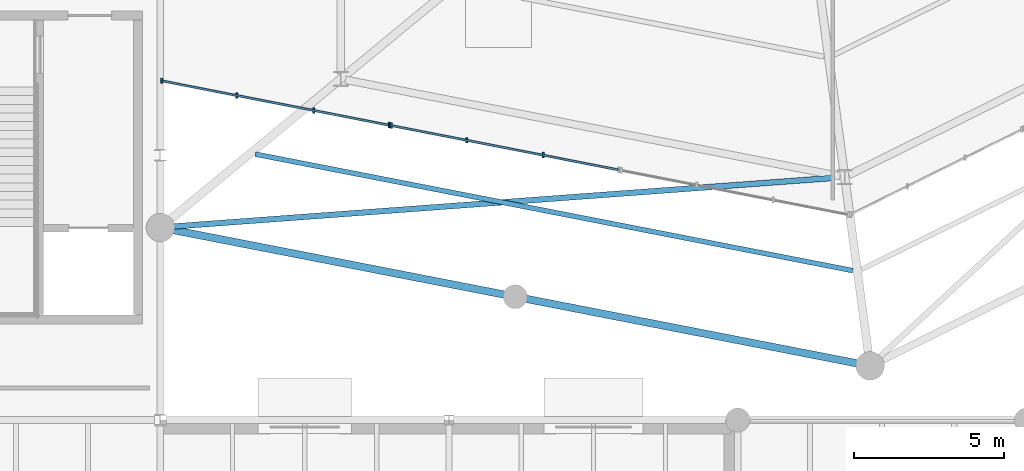
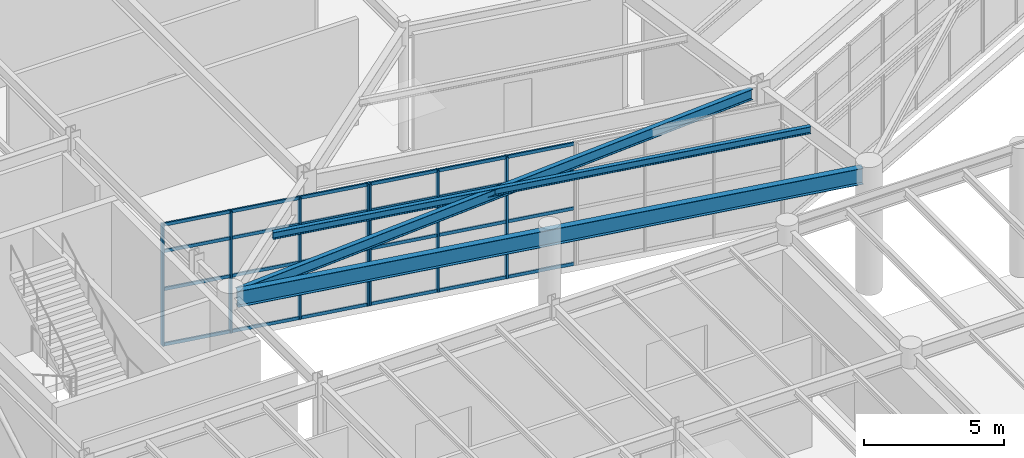
# One storey, part 22 of 70: 15 members, 3 beams, 2 elements without a shape of their own.
"""IFC4 building model written with IfcOpenShell, lengths in metres."""

from ifc_helpers import new_model, si_unit, direction, frame, origin, origin_2d, place, context, subcontext, project, spatial, rectangle, i_section, extrude, material, material_profile, profile_set, type_object, element, aggregate, save


model = new_model("IFC4")

# Units and contexts
model_context = context("Model", 3, precision=1e-05, world=origin(), true_north=direction((0.0, 1.0)))
body_context = subcontext(model_context, "Body", "Model", "MODEL_VIEW")
ifc_project = project(units=[si_unit("LENGTHUNIT", "METRE"), si_unit("AREAUNIT", "SQUARE_METRE"), si_unit("VOLUMEUNIT", "CUBIC_METRE"), si_unit("PLANEANGLEUNIT", "RADIAN"), si_unit("MASSUNIT", "GRAM", prefix="KILO")], contexts=[model_context])

# Site, building, storey
site_placement = place(None, origin())
site = spatial("IfcSite", under=ifc_project, at=site_placement, CompositionType="ELEMENT")
building_placement = place(site_placement, origin())
building = spatial("IfcBuilding", under=site, at=building_placement, Name="Sarnbrook Museum", CompositionType="ELEMENT")
storey_placement = place(building_placement, origin())
storey = spatial("IfcBuildingStorey", under=building, at=storey_placement, Name="L00", CompositionType="ELEMENT", Elevation=0.0)

# Beams
ifc_material_1 = material(Name="Structural Steel Grade 300PLUS (AS/NZS 3679.1, fy = 280 MPa for 17 < t <= 40 mm, 300 MPa for t <= 17 mm)", Category="steel")
ifc_material_profile_1 = material_profile(ifc_material_1, i_section(OverallWidth=0.18994140625, OverallDepth=0.45703125, WebThickness=0.009033203125, FlangeThickness=0.014404296875, FilletRadius=0.011474609375, at=origin_2d()), Name="460UB74.6")
ifc_profile_set_1 = profile_set([ifc_material_profile_1], Name="Structural Steel Grade 300PLUS (AS/NZS 3679.1, fy = 280 MPa for 17 < t <= 40 mm, 300 MPa for t <= 17 mm)")
beam_type_1 = type_object("IfcBeamType", Name="BM-UB460", PredefinedType="BEAM", material=ifc_profile_set_1)
beam_1_placement = place(storey_placement, frame((119.484619140625, 63.224853515625, 5.10009765625), z_axis=(0.997306617678, 0.07334514527, 0.0), x_axis=(-0.07334514527, 0.997306617678, 0.0)))
element("IfcBeam", 1, at=beam_1_placement, inside=storey, type_object=beam_type_1, Name="Colonnade Ceiling Diagonal Tie Girder 1 L00", PredefinedType="BEAM", context=body_context, shape_type="SweptSolid", body=[
    extrude(i_section(OverallWidth=0.18994140625, OverallDepth=0.45703125, WebThickness=0.009033203125, FlangeThickness=0.014404296875, FilletRadius=0.011474609375, at=origin_2d()), origin(), (0.0, 0.0, 1.0), 22.152099609375),
])
ifc_material_2 = material(Name="Structural Steel Grade 350L0 (AS/NZS 3678, fy = 340 MPa for 20 < t <= 40 mm)", Category="steel")
ifc_material_profile_2 = material_profile(ifc_material_2, i_section(OverallWidth=0.25, OverallDepth=0.699951171875, WebThickness=0.010009765625, FlangeThickness=0.01611328125, at=origin_2d()), Name="700WB130")
ifc_profile_set_2 = profile_set([ifc_material_profile_2], Name="Structural Steel Grade 350L0 (AS/NZS 3678, fy = 340 MPa for 20 < t <= 40 mm)")
beam_type_2 = type_object("IfcBeamType", Name="BM-WB700", PredefinedType="BEAM", material=ifc_profile_set_2)
beam_2_placement = place(storey_placement, frame((119.4453125, 63.152099609375, 4.989990234375), z_axis=(0.981528508829, -0.191315933358, 0.0), x_axis=(0.191315933358, 0.981528508829, 0.0)))
element("IfcBeam", 2, at=beam_2_placement, inside=storey, type_object=beam_type_2, Name="Crystal Hall Perimeter Ring Girder 1 L00", PredefinedType="BEAM", context=body_context, shape_type="SweptSolid", body=[
    extrude(i_section(OverallWidth=0.25, OverallDepth=0.699951171875, WebThickness=0.010009765625, FlangeThickness=0.01611328125, at=origin_2d()), origin(), (0.0, 0.0, 1.0), 23.544189453125),
])

# Curtain wall, members
ifc_material_3 = material(Name="Thermally Broken Anodised Aluminium 6063-T6", Category="aluminium")
curtain_wall_type = type_object("IfcCurtainWallType", Name="CurtainWall_Colonnade", PredefinedType="NOTDEFINED", material=ifc_material_3)
curtain_wall_1_placement = place(storey_placement, origin())
curtain_wall_1 = element("IfcCurtainWall", 3, at=curtain_wall_1_placement, inside=storey, type_object=curtain_wall_type, Name="Colonnade Recessed Glazing L00-F1.1", PredefinedType="NOTDEFINED")
ifc_material_profile_3 = material_profile(ifc_material_3, rectangle(XDim=0.06494140625, YDim=0.179931640625, at=origin_2d()), Name="ALU MULLION 65x180")
ifc_profile_set_3 = profile_set([ifc_material_profile_3], Name="Thermally Broken Anodised Aluminium 6063-T6")
member_type_1 = type_object("IfcMemberType", Name="CW_Mullion_180x75", PredefinedType="MULLION", material=ifc_profile_set_3)
member_1_placement = place(storey_placement, frame((119.2392578125, 68.08251953125, 0.0), z_axis=(0.0, 0.0, 1.0), x_axis=(1.0, 0.0, 0.0)))
member_1 = element("IfcMember", 4, at=member_1_placement, type_object=member_type_1, Name="Colonnade Recessed Glazing L00-F1.1 Mullion 1", PredefinedType="MULLION", context=body_context, shape_type="SweptSolid", body=[
    extrude(rectangle(XDim=0.06494140625, YDim=0.179931640625, at=origin_2d()), origin(), (0.0, 0.0, 1.0), 5.2900390625),
])
member_2_placement = place(storey_placement, frame((121.747314453125, 67.59375, 0.0), z_axis=(0.0, 0.0, 1.0), x_axis=(1.0, 0.0, 0.0)))
member_2 = element("IfcMember", 5, at=member_2_placement, type_object=member_type_1, Name="Colonnade Recessed Glazing L00-F1.1 Mullion 2", PredefinedType="MULLION", context=body_context, shape_type="SweptSolid", body=[
    extrude(rectangle(XDim=0.06494140625, YDim=0.179931640625, at=origin_2d()), origin(), (0.0, 0.0, 1.0), 5.2900390625),
])
member_3_placement = place(storey_placement, frame((124.29443359375, 67.097412109375, 0.0), z_axis=(0.0, 0.0, 1.0), x_axis=(1.0, 0.0, 0.0)))
member_3 = element("IfcMember", 6, at=member_3_placement, type_object=member_type_1, Name="Colonnade Recessed Glazing L00-F1.1 Mullion 3", PredefinedType="MULLION", context=body_context, shape_type="SweptSolid", body=[
    extrude(rectangle(XDim=0.06494140625, YDim=0.179931640625, at=origin_2d()), origin(), (0.0, 0.0, 1.0), 5.2900390625),
])
member_4_placement = place(storey_placement, frame((126.802490234375, 66.6083984375, 0.0), z_axis=(0.0, 0.0, 1.0), x_axis=(1.0, 0.0, 0.0)))
member_4 = element("IfcMember", 7, at=member_4_placement, type_object=member_type_1, Name="Colonnade Recessed Glazing L00-F1.1 Mullion 4", PredefinedType="MULLION", context=body_context, shape_type="SweptSolid", body=[
    extrude(rectangle(XDim=0.06494140625, YDim=0.179931640625, at=origin_2d()), origin(), (0.0, 0.0, 1.0), 5.2900390625),
])

curtain_wall_2_placement = place(storey_placement, origin())
curtain_wall_2 = element("IfcCurtainWall", 8, at=curtain_wall_2_placement, inside=storey, type_object=curtain_wall_type, Name="Colonnade Recessed Glazing L00-F1.2", PredefinedType="NOTDEFINED")
member_5_placement = place(storey_placement, frame((126.880859375, 66.59326171875, 0.0), z_axis=(0.0, 0.0, 1.0), x_axis=(1.0, 0.0, 0.0)))
member_5 = element("IfcMember", 9, at=member_5_placement, type_object=member_type_1, Name="Colonnade Recessed Glazing L00-F1.2 Mullion 1", PredefinedType="MULLION", context=body_context, shape_type="SweptSolid", body=[
    extrude(rectangle(XDim=0.06494140625, YDim=0.179931640625, at=origin_2d()), origin(), (0.0, 0.0, 1.0), 5.2900390625),
])
member_6_placement = place(storey_placement, frame((129.388916015625, 66.104248046875, 0.0), z_axis=(0.0, 0.0, 1.0), x_axis=(1.0, 0.0, 0.0)))
member_6 = element("IfcMember", 10, at=member_6_placement, type_object=member_type_1, Name="Colonnade Recessed Glazing L00-F1.2 Mullion 2", PredefinedType="MULLION", context=body_context, shape_type="SweptSolid", body=[
    extrude(rectangle(XDim=0.06494140625, YDim=0.179931640625, at=origin_2d()), origin(), (0.0, 0.0, 1.0), 5.2900390625),
])
member_7_placement = place(storey_placement, frame((131.93603515625, 65.60791015625, 0.0), z_axis=(0.0, 0.0, 1.0), x_axis=(1.0, 0.0, 0.0)))
member_7 = element("IfcMember", 11, at=member_7_placement, type_object=member_type_1, Name="Colonnade Recessed Glazing L00-F1.2 Mullion 3", PredefinedType="MULLION", context=body_context, shape_type="SweptSolid", body=[
    extrude(rectangle(XDim=0.06494140625, YDim=0.179931640625, at=origin_2d()), origin(), (0.0, 0.0, 1.0), 5.2900390625),
])

# Member
ifc_material_profile_4 = material_profile(ifc_material_3, rectangle(XDim=0.06494140625, YDim=0.139892578125, at=origin_2d()), Name="ALU TRANSOM 65x140")
ifc_profile_set_4 = profile_set([ifc_material_profile_4], Name="Thermally Broken Anodised Aluminium 6063-T6")
member_type_2 = type_object("IfcMemberType", Name="CW_Transom_150x65", PredefinedType="USERDEFINED", material=ifc_profile_set_4)
member_8_placement = place(storey_placement, frame((119.2490234375, 68.080810546875, 0.0400390625), z_axis=(0.981525673585, -0.191330478737, 0.0), x_axis=(0.191330478737, 0.981525673585, 0.0)))
member_8 = element("IfcMember", 12, at=member_8_placement, type_object=member_type_2, Name="Colonnade Recessed Glazing L00-F1.1 Transom 1", ObjectType="TRANSOM", PredefinedType="USERDEFINED", context=body_context, shape_type="SweptSolid", body=[
    extrude(rectangle(XDim=0.06494140625, YDim=0.139892578125, at=origin_2d()), origin(), (0.0, 0.0, 1.0), 7.685546875),
])

member_9_placement = place(storey_placement, frame((119.2490234375, 68.080810546875, 2.449951171875), z_axis=(0.981525673585, -0.191330478737, 0.0), x_axis=(0.191330478737, 0.981525673585, 0.0)))
member_9 = element("IfcMember", 13, at=member_9_placement, type_object=member_type_2, Name="Colonnade Recessed Glazing L00-F1.1 Transom 2", ObjectType="TRANSOM", PredefinedType="USERDEFINED", context=body_context, shape_type="SweptSolid", body=[
    extrude(rectangle(XDim=0.06494140625, YDim=0.139892578125, at=origin_2d()), origin(), (0.0, 0.0, 1.0), 7.685546875),
])

member_10_placement = place(storey_placement, frame((119.2490234375, 68.080810546875, 4.10009765625), z_axis=(0.981525673585, -0.191330478737, 0.0), x_axis=(0.191330478737, 0.981525673585, 0.0)))
member_10 = element("IfcMember", 14, at=member_10_placement, type_object=member_type_2, Name="Colonnade Recessed Glazing L00-F1.1 Transom 3", ObjectType="TRANSOM", PredefinedType="USERDEFINED", context=body_context, shape_type="SweptSolid", body=[
    extrude(rectangle(XDim=0.06494140625, YDim=0.139892578125, at=origin_2d()), origin(), (0.0, 0.0, 1.0), 7.685546875),
])

member_11_placement = place(storey_placement, frame((119.2490234375, 68.080810546875, 5.25), z_axis=(0.981525673585, -0.191330478737, 0.0), x_axis=(0.191330478737, 0.981525673585, 0.0)))
member_11 = element("IfcMember", 15, at=member_11_placement, type_object=member_type_2, Name="Colonnade Recessed Glazing L00-F1.1 Transom 4", ObjectType="TRANSOM", PredefinedType="USERDEFINED", context=body_context, shape_type="SweptSolid", body=[
    extrude(rectangle(XDim=0.06494140625, YDim=0.139892578125, at=origin_2d()), origin(), (0.0, 0.0, 1.0), 7.685546875),
])

aggregate(curtain_wall_1, [member_1, member_2, member_3, member_4, member_8, member_9, member_10, member_11])

member_12_placement = place(storey_placement, frame((126.890625, 66.59130859375, 0.0400390625), z_axis=(0.981525673585, -0.191330478737, 0.0), x_axis=(0.191330478737, 0.981525673585, 0.0)))
member_12 = element("IfcMember", 16, at=member_12_placement, type_object=member_type_2, Name="Colonnade Recessed Glazing L00-F1.2 Transom 1", ObjectType="TRANSOM", PredefinedType="USERDEFINED", context=body_context, shape_type="SweptSolid", body=[
    extrude(rectangle(XDim=0.06494140625, YDim=0.139892578125, at=origin_2d()), origin(), (0.0, 0.0, 1.0), 7.685546875),
])

member_13_placement = place(storey_placement, frame((126.890625, 66.59130859375, 2.449951171875), z_axis=(0.981525673585, -0.191330478737, 0.0), x_axis=(0.191330478737, 0.981525673585, 0.0)))
member_13 = element("IfcMember", 17, at=member_13_placement, type_object=member_type_2, Name="Colonnade Recessed Glazing L00-F1.2 Transom 2", ObjectType="TRANSOM", PredefinedType="USERDEFINED", context=body_context, shape_type="SweptSolid", body=[
    extrude(rectangle(XDim=0.06494140625, YDim=0.139892578125, at=origin_2d()), origin(), (0.0, 0.0, 1.0), 7.685546875),
])

member_14_placement = place(storey_placement, frame((126.890625, 66.59130859375, 4.10009765625), z_axis=(0.981525673585, -0.191330478737, 0.0), x_axis=(0.191330478737, 0.981525673585, 0.0)))
member_14 = element("IfcMember", 18, at=member_14_placement, type_object=member_type_2, Name="Colonnade Recessed Glazing L00-F1.2 Transom 3", ObjectType="TRANSOM", PredefinedType="USERDEFINED", context=body_context, shape_type="SweptSolid", body=[
    extrude(rectangle(XDim=0.06494140625, YDim=0.139892578125, at=origin_2d()), origin(), (0.0, 0.0, 1.0), 7.685546875),
])

member_15_placement = place(storey_placement, frame((126.890625, 66.59130859375, 5.25), z_axis=(0.981525673585, -0.191330478737, 0.0), x_axis=(0.191330478737, 0.981525673585, 0.0)))
member_15 = element("IfcMember", 19, at=member_15_placement, type_object=member_type_2, Name="Colonnade Recessed Glazing L00-F1.2 Transom 4", ObjectType="TRANSOM", PredefinedType="USERDEFINED", context=body_context, shape_type="SweptSolid", body=[
    extrude(rectangle(XDim=0.06494140625, YDim=0.139892578125, at=origin_2d()), origin(), (0.0, 0.0, 1.0), 7.685546875),
])

aggregate(curtain_wall_2, [member_5, member_6, member_7, member_12, member_13, member_14, member_15])

# Beam
ifc_material_profile_5 = material_profile(ifc_material_1, i_section(OverallWidth=0.1650390625, OverallDepth=0.303955078125, WebThickness=0.006103515625, FlangeThickness=0.01025390625, FilletRadius=0.011474609375, at=origin_2d()), Name="310UB40.4")
ifc_profile_set_5 = profile_set([ifc_material_profile_5], Name="Structural Steel Grade 300PLUS (AS/NZS 3679.1, fy = 280 MPa for 17 < t <= 40 mm, 300 MPa for t <= 17 mm)")
beam_type_3 = type_object("IfcBeamType", Name="JS-UB310", PredefinedType="JOIST", material=ifc_profile_set_5)
beam_3_placement = place(storey_placement, frame((122.35693359375, 65.64111328125, 5.18798828125), z_axis=(0.981528457279, -0.191316197829, 0.0), x_axis=(0.191316197829, 0.981528457279, 0.0)))
element("IfcBeam", 20, at=beam_3_placement, inside=storey, type_object=beam_type_3, Name="Crystal Hall Tangential Joist MO-1 L00", PredefinedType="JOIST", context=body_context, shape_type="SweptSolid", body=[
    extrude(i_section(OverallWidth=0.1650390625, OverallDepth=0.303955078125, WebThickness=0.006103515625, FlangeThickness=0.01025390625, FilletRadius=0.011474609375, at=origin_2d()), origin(), (0.0, 0.0, 1.0), 20.23779296875),
])

save(model, "model.ifc")
